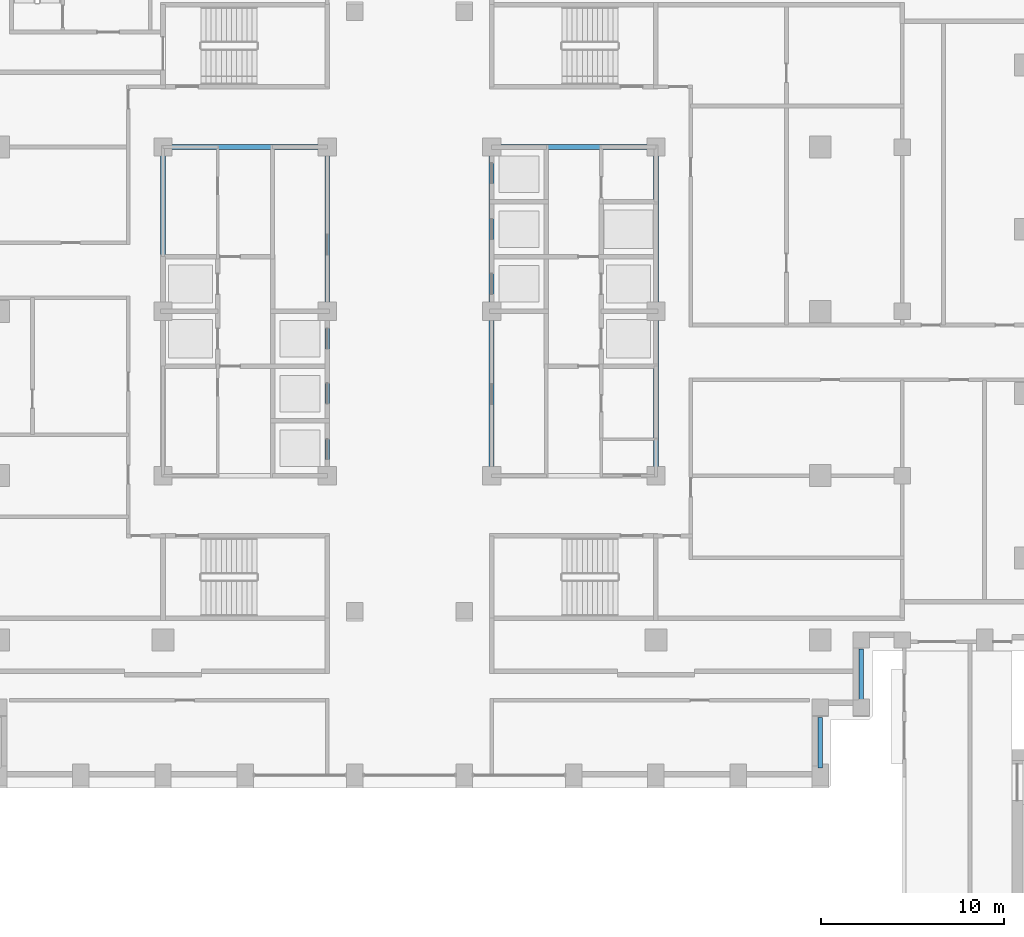
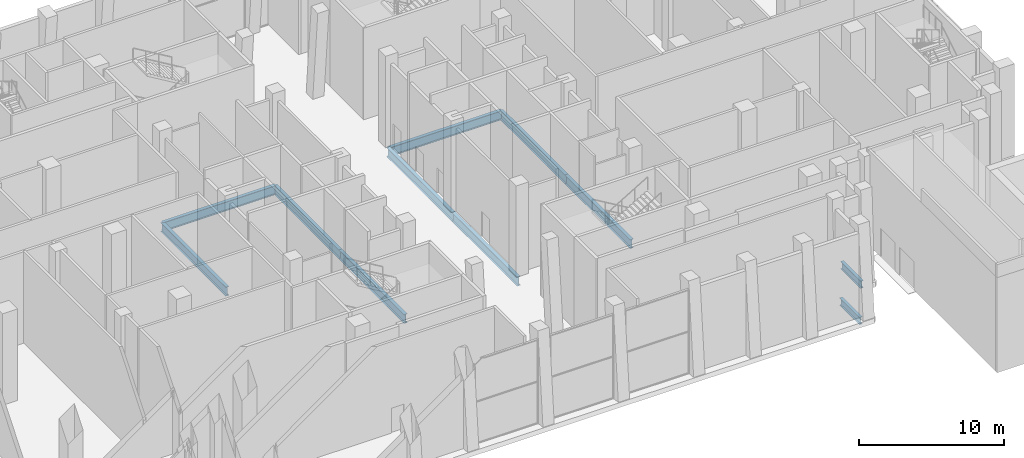
# One storey, part 5 of 24: 11 beams.
"""IFC4 building model written with IfcOpenShell, lengths in metres."""

from ifc_helpers import new_model, si_unit, direction, frame, origin, origin_2d, place, context, subcontext, project, spatial, i_section, extrude, material, material_profile, profile_set, type_object, element, save


model = new_model("IFC4")

# Units and contexts
model_context = context("Model", 3, precision=1e-05, world=origin(), true_north=direction((0.0, 1.0)))
body_context = subcontext(model_context, "Body", "Model", "MODEL_VIEW")
ifc_project = project(units=[si_unit("LENGTHUNIT", "METRE"), si_unit("AREAUNIT", "SQUARE_METRE"), si_unit("VOLUMEUNIT", "CUBIC_METRE"), si_unit("PLANEANGLEUNIT", "RADIAN"), si_unit("MASSUNIT", "GRAM", prefix="KILO")], contexts=[model_context])

# Site, building, storey
site_placement = place(None, origin())
site = spatial("IfcSite", under=ifc_project, at=site_placement, CompositionType="ELEMENT")
building_placement = place(site_placement, origin())
building = spatial("IfcBuilding", under=site, at=building_placement, Name="Corbelhall Arena Tower", CompositionType="ELEMENT")
storey_placement = place(building_placement, frame((0.0, 0.0, 60.0)))
storey = spatial("IfcBuildingStorey", under=building, at=storey_placement, Name="L08", CompositionType="ELEMENT", Elevation=60.0)

# Beams
ifc_material = material(Name="Steel ASTM A992 Gr50", Category="steel")
ifc_material_profile_1 = material_profile(ifc_material, i_section(OverallWidth=0.2666015625, OverallDepth=0.761962890625, WebThickness=0.014404296875, FlangeThickness=0.021484375, at=origin_2d()))
ifc_profile_set_1 = profile_set([ifc_material_profile_1], Name="Steel ASTM A992 Gr50")
beam_type_1 = type_object("IfcBeamType", Name="ST-BEAM-W30x116", PredefinedType="BEAM", material=ifc_profile_set_1)
for number, where, z_axis, x_axis, name in (
    (1, (-13.5, 0.0, -0.791015625), (0.0, 1.0, 0.0), (-1.0, 0.0, 0.0), "Beam CEW 2"),
    (2, (-4.5, -9.0, -0.791015625), (0.0, 1.0, 0.0), (-1.0, 0.0, 0.0), "Beam CEW 3"),
    (3, (-4.5, 0.0, -0.791015625), (0.0, 1.0, 0.0), (-1.0, 0.0, 0.0), "Beam CEW 4"),
    (4, (-13.5, 9.0, -0.791015625), (1.0, 0.0, 0.0), (0.0, 1.0, 0.0), "Beam CEW 6"),
    (5, (4.5, -9.0, -0.791015625), (0.0, 1.0, 0.0), (-1.0, 0.0, 0.0), "Beam CEE 7"),
    (6, (4.5, 0.0, -0.791015625), (0.0, 1.0, 0.0), (-1.0, 0.0, 0.0), "Beam CEE 8"),
    (7, (13.5, -9.0, -0.791015625), (0.0, 1.0, 0.0), (-1.0, 0.0, 0.0), "Beam CEE 9"),
    (8, (13.5, 0.0, -0.791015625), (0.0, 1.0, 0.0), (-1.0, 0.0, 0.0), "Beam CEE 10"),
    (9, (4.5, 9.0, -0.791015625), (1.0, 0.0, 0.0), (0.0, 1.0, 0.0), "Beam CEE 12"),
):
    element("IfcBeam", number, at=place(storey_placement, frame(where, z_axis=z_axis, x_axis=x_axis)), inside=storey, type_object=beam_type_1, Name=name, PredefinedType="BEAM", context=body_context, shape_type="SweptSolid", body=[
        extrude(i_section(OverallWidth=0.2666015625, OverallDepth=0.761962890625, WebThickness=0.014404296875, FlangeThickness=0.021484375, at=origin_2d()), origin(), (0.0, 0.0, 1.0), 9.0),
    ])
ifc_material_profile_2 = material_profile(ifc_material, i_section(OverallWidth=0.23046875, OverallDepth=0.6171875, WebThickness=0.01318359375, FlangeThickness=0.022216796875, at=origin_2d()))
ifc_profile_set_2 = profile_set([ifc_material_profile_2], Name="Steel ASTM A992 Gr50")
beam_type_2 = type_object("IfcBeamType", Name="ST-SPANDREL-W24x94", PredefinedType="SPANDREL", material=ifc_profile_set_2)
for number, where, z_axis, x_axis, name in (
    (10, (22.5, -22.25, -0.718505859375), (0.0, -1.0, 0.0), (1.0, 0.0, 0.0), "Beam SP 45"),
    (11, (24.75, -18.5, -0.718505859375), (0.0, -1.0, 0.0), (1.0, 0.0, 0.0), "Beam SP 47"),
):
    element("IfcBeam", number, at=place(storey_placement, frame(where, z_axis=z_axis, x_axis=x_axis)), inside=storey, type_object=beam_type_2, Name=name, PredefinedType="SPANDREL", context=body_context, shape_type="SweptSolid", body=[
        extrude(i_section(OverallWidth=0.23046875, OverallDepth=0.6171875, WebThickness=0.01318359375, FlangeThickness=0.022216796875, at=origin_2d()), origin(), (0.0, 0.0, 1.0), 2.75),
    ])

save(model, "model.ifc")
